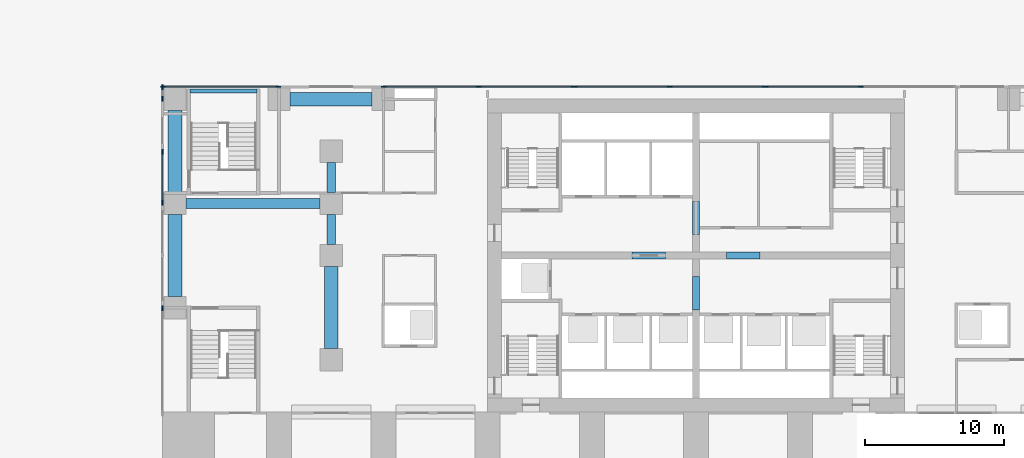
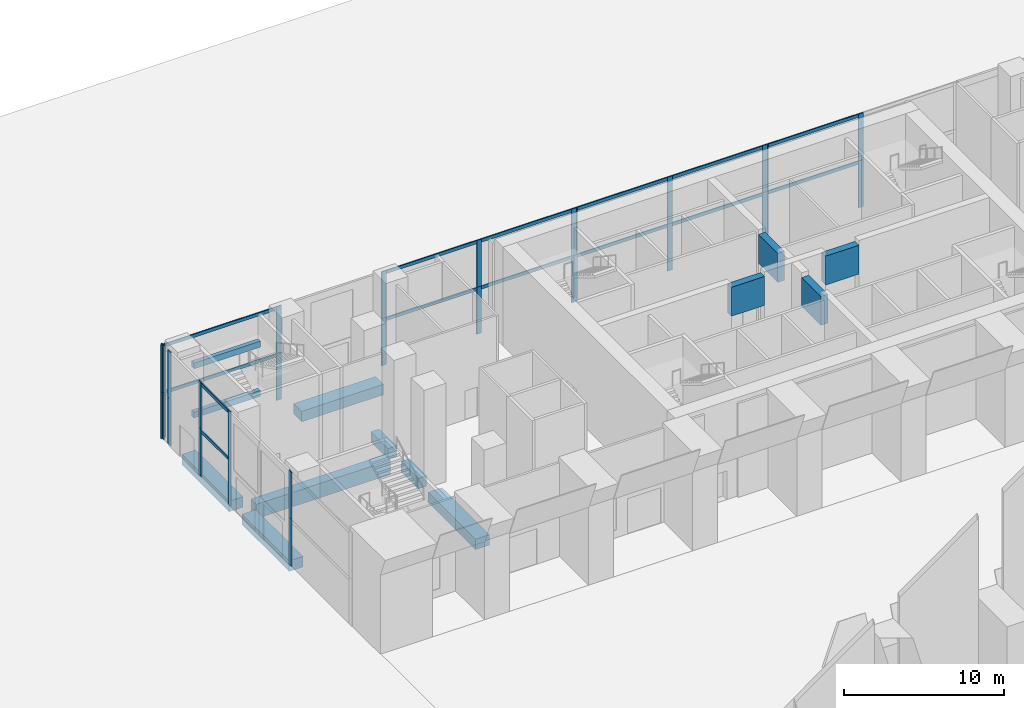
# One storey, part 4 of 21: 44 members, 13 beams, 14 elements without a shape of their own.
"""IFC4 building model written with IfcOpenShell, lengths in metres."""

from ifc_helpers import new_model, si_unit, direction, frame, origin, origin_2d, place, context, subcontext, project, spatial, rectangle, extrude, material, material_profile, profile_set, type_object, element, aggregate, save


model = new_model("IFC4")

# Units and contexts
model_context = context("Model", 3, precision=1e-05, world=origin(), true_north=direction((0.0, 1.0)))
body_context = subcontext(model_context, "Body", "Model", "MODEL_VIEW")
ifc_project = project(units=[si_unit("LENGTHUNIT", "METRE"), si_unit("AREAUNIT", "SQUARE_METRE"), si_unit("VOLUMEUNIT", "CUBIC_METRE"), si_unit("PLANEANGLEUNIT", "RADIAN"), si_unit("MASSUNIT", "GRAM", prefix="KILO")], contexts=[model_context])

# Site, building, storey
site_placement = place(None, origin())
site = spatial("IfcSite", under=ifc_project, at=site_placement, CompositionType="ELEMENT")
building_placement = place(site_placement, origin())
building = spatial("IfcBuilding", under=site, at=building_placement, Name="Pilkhan Gate Tower", CompositionType="ELEMENT")
storey_placement = place(building_placement, origin())
storey = spatial("IfcBuildingStorey", under=building, at=storey_placement, Name="L00", CompositionType="ELEMENT", Elevation=0.0)

# Beams
ifc_material_1 = material(Name="Concrete C70/85", Category="concrete")
ifc_material_profile_1 = material_profile(ifc_material_1, rectangle(XDim=0.5, YDim=2.199951171875, at=origin_2d()), Name="RC 500x2200")
ifc_profile_set_1 = profile_set([ifc_material_profile_1], Name="Concrete C70/85")
beam_type_1 = type_object("IfcBeamType", Name="Coupling beam CB220 RC 500x2200 C70/85", PredefinedType="LINTEL", material=ifc_profile_set_1)
for number, where, z_axis, x_axis, name in (
    (1, (70.39990234375, 82.5, 6.050048828125), (1.0, 0.0, 0.0), (0.0, 1.0, 0.0), "Coupling beam 1 L00"),
    (2, (77.199951171875, 82.5, 6.050048828125), (1.0, 0.0, 0.0), (0.0, 1.0, 0.0), "Coupling beam 2 L00"),
):
    element("IfcBeam", number, at=place(storey_placement, frame(where, z_axis=z_axis, x_axis=x_axis)), inside=storey, type_object=beam_type_1, Name=name, PredefinedType="LINTEL", context=body_context, shape_type="SweptSolid", body=[
        extrude(rectangle(XDim=0.5, YDim=2.199951171875, at=origin_2d()), origin(), (0.0, 0.0, 1.0), 2.400146484375),
    ])
for number, where, z_axis, x_axis, name in (
    (3, (75.0, 78.60009765625, 6.050048828125), (0.0, 1.0, 0.0), (-1.0, 0.0, 0.0), "Coupling beam 3 L00"),
    (4, (75.0, 84.0, 6.050048828125), (0.0, 1.0, 0.0), (-1.0, 0.0, 0.0), "Coupling beam 4 L00"),
):
    element("IfcBeam", number, at=place(storey_placement, frame(where, z_axis=z_axis, x_axis=x_axis)), inside=storey, type_object=beam_type_1, Name=name, PredefinedType="LINTEL", context=body_context, shape_type="SweptSolid", body=[
        extrude(rectangle(XDim=0.5, YDim=2.199951171875, at=origin_2d()), origin(), (0.0, 0.0, 1.0), 2.39990234375),
    ])
ifc_material_2 = material(Name="Concrete C50/60", Category="concrete")
ifc_material_profile_2 = material_profile(ifc_material_2, rectangle(XDim=0.300048828125, YDim=0.449951171875, at=origin_2d()), Name="RC 300x450")
ifc_profile_set_2 = profile_set([ifc_material_profile_2], Name="Concrete C50/60")
beam_type_2 = type_object("IfcBeamType", Name="Landing support beam LB RC 300x450 C50/60", PredefinedType="BEAM", material=ifc_profile_set_2)
for number, where, z_axis, x_axis, name in (
    (5, (38.60498046875, 94.35009765625, 1.300048828125), (1.0, 0.0, 0.0), (0.0, 1.0, 0.0), "Landing support beam PS1-1 L00"),
    (6, (38.60498046875, 94.35009765625, 5.050048828125), (1.0, 0.0, 0.0), (0.0, 1.0, 0.0), "Landing support beam PS1-3 L00"),
):
    element("IfcBeam", number, at=place(storey_placement, frame(where, z_axis=z_axis, x_axis=x_axis)), inside=storey, type_object=beam_type_2, Name=name, PredefinedType="BEAM", context=body_context, shape_type="SweptSolid", body=[
        extrude(rectangle(XDim=0.300048828125, YDim=0.449951171875, at=origin_2d()), origin(), (0.0, 0.0, 1.0), 4.7900390625),
    ])

# Curtain wall, members
ifc_material_3 = material(Name="Pale anodised aluminium, clear low-iron laminated glazing", Category="aluminium")
curtain_wall_type = type_object("IfcCurtainWallType", Name="Podium unitised curtain wall CW-P", PredefinedType="USERDEFINED", material=ifc_material_3)
curtain_wall_1_placement = place(storey_placement, origin())
curtain_wall_1 = element("IfcCurtainWall", 7, at=curtain_wall_1_placement, inside=storey, type_object=curtain_wall_type, Name="Podium unitised curtain wall CW-P L00 N", ObjectType="UNITISED CURTAIN WALL", PredefinedType="USERDEFINED")
ifc_material_4 = material(Name="Pale anodised aluminium", Category="aluminium")
ifc_material_profile_3 = material_profile(ifc_material_4, rectangle(XDim=0.080078125, YDim=0.35009765625, at=origin_2d()), Name="Mullion 350x80")
ifc_profile_set_3 = profile_set([ifc_material_profile_3], Name="Pale anodised aluminium")
member_type_1 = type_object("IfcMemberType", Name="Mullion CW-P 350x80", PredefinedType="MULLION", material=ifc_profile_set_3)
member_1_placement = place(storey_placement, frame((36.64501953125, 94.64501953125, 0.0), z_axis=(0.0, 0.0, 1.0), x_axis=(0.0, 1.0, 0.0)))
member_1 = element("IfcMember", 8, at=member_1_placement, type_object=member_type_1, Name="CW-P mullion 1", PredefinedType="MULLION", context=body_context, shape_type="SweptSolid", body=[
    extrude(rectangle(XDim=0.080078125, YDim=0.35009765625, at=origin_2d()), origin(), (0.0, 0.0, 1.0), 3.574951171875),
])
member_2_placement = place(storey_placement, frame((44.9599609375, 94.64501953125, 0.0), z_axis=(0.0, 0.0, 1.0), x_axis=(0.0, 1.0, 0.0)))
member_2 = element("IfcMember", 9, at=member_2_placement, type_object=member_type_1, Name="CW-P mullion 2", PredefinedType="MULLION", context=body_context, shape_type="SweptSolid", body=[
    extrude(rectangle(XDim=0.080078125, YDim=0.35009765625, at=origin_2d()), origin(), (0.0, 0.0, 1.0), 3.574951171875),
])

curtain_wall_2_placement = place(storey_placement, origin())
curtain_wall_2 = element("IfcCurtainWall", 10, at=curtain_wall_2_placement, inside=storey, type_object=curtain_wall_type, Name="Podium unitised curtain wall CW-P L00 N", ObjectType="UNITISED CURTAIN WALL", PredefinedType="USERDEFINED")
member_3_placement = place(storey_placement, frame((36.64501953125, 94.64501953125, 3.574951171875), z_axis=(0.0, 0.0, 1.0), x_axis=(0.0, 1.0, 0.0)))
member_3 = element("IfcMember", 11, at=member_3_placement, type_object=member_type_1, Name="CW-P mullion 1", PredefinedType="MULLION", context=body_context, shape_type="SweptSolid", body=[
    extrude(rectangle(XDim=0.080078125, YDim=0.35009765625, at=origin_2d()), origin(), (0.0, 0.0, 1.0), 3.574951171875),
])
member_4_placement = place(storey_placement, frame((44.9599609375, 94.64501953125, 3.574951171875), z_axis=(0.0, 0.0, 1.0), x_axis=(0.0, 1.0, 0.0)))
member_4 = element("IfcMember", 12, at=member_4_placement, type_object=member_type_1, Name="CW-P mullion 2", PredefinedType="MULLION", context=body_context, shape_type="SweptSolid", body=[
    extrude(rectangle(XDim=0.080078125, YDim=0.35009765625, at=origin_2d()), origin(), (0.0, 0.0, 1.0), 3.574951171875),
])

curtain_wall_3_placement = place(storey_placement, origin())
curtain_wall_3 = element("IfcCurtainWall", 13, at=curtain_wall_3_placement, inside=storey, type_object=curtain_wall_type, Name="Podium unitised curtain wall CW-P L00 N", ObjectType="UNITISED CURTAIN WALL", PredefinedType="USERDEFINED")
member_5_placement = place(storey_placement, frame((52.5400390625, 94.64501953125, 0.0), z_axis=(0.0, 0.0, 1.0), x_axis=(0.0, 1.0, 0.0)))
member_5 = element("IfcMember", 14, at=member_5_placement, type_object=member_type_1, Name="CW-P mullion 1", PredefinedType="MULLION", context=body_context, shape_type="SweptSolid", body=[
    extrude(rectangle(XDim=0.080078125, YDim=0.35009765625, at=origin_2d()), origin(), (0.0, 0.0, 1.0), 3.574951171875),
])
member_6_placement = place(storey_placement, frame((59.375, 94.64501953125, 0.0), z_axis=(0.0, 0.0, 1.0), x_axis=(0.0, 1.0, 0.0)))
member_6 = element("IfcMember", 15, at=member_6_placement, type_object=member_type_1, Name="CW-P mullion 2", PredefinedType="MULLION", context=body_context, shape_type="SweptSolid", body=[
    extrude(rectangle(XDim=0.080078125, YDim=0.35009765625, at=origin_2d()), origin(), (0.0, 0.0, 1.0), 3.574951171875),
])
member_7_placement = place(storey_placement, frame((66.2099609375, 94.64501953125, 0.0), z_axis=(0.0, 0.0, 1.0), x_axis=(0.0, 1.0, 0.0)))
member_7 = element("IfcMember", 16, at=member_7_placement, type_object=member_type_1, Name="CW-P mullion 3", PredefinedType="MULLION", context=body_context, shape_type="SweptSolid", body=[
    extrude(rectangle(XDim=0.080078125, YDim=0.35009765625, at=origin_2d()), origin(), (0.0, 0.0, 1.0), 3.574951171875),
])

curtain_wall_4_placement = place(storey_placement, origin())
curtain_wall_4 = element("IfcCurtainWall", 17, at=curtain_wall_4_placement, inside=storey, type_object=curtain_wall_type, Name="Podium unitised curtain wall CW-P L00 N", ObjectType="UNITISED CURTAIN WALL", PredefinedType="USERDEFINED")
member_8_placement = place(storey_placement, frame((66.2900390625, 94.64501953125, 0.0), z_axis=(0.0, 0.0, 1.0), x_axis=(0.0, 1.0, 0.0)))
member_8 = element("IfcMember", 18, at=member_8_placement, type_object=member_type_1, Name="CW-P mullion 1", PredefinedType="MULLION", context=body_context, shape_type="SweptSolid", body=[
    extrude(rectangle(XDim=0.080078125, YDim=0.35009765625, at=origin_2d()), origin(), (0.0, 0.0, 1.0), 3.574951171875),
])
member_9_placement = place(storey_placement, frame((73.125, 94.64501953125, 0.0), z_axis=(0.0, 0.0, 1.0), x_axis=(0.0, 1.0, 0.0)))
member_9 = element("IfcMember", 19, at=member_9_placement, type_object=member_type_1, Name="CW-P mullion 2", PredefinedType="MULLION", context=body_context, shape_type="SweptSolid", body=[
    extrude(rectangle(XDim=0.080078125, YDim=0.35009765625, at=origin_2d()), origin(), (0.0, 0.0, 1.0), 3.574951171875),
])
member_10_placement = place(storey_placement, frame((79.9599609375, 94.64501953125, 0.0), z_axis=(0.0, 0.0, 1.0), x_axis=(0.0, 1.0, 0.0)))
member_10 = element("IfcMember", 20, at=member_10_placement, type_object=member_type_1, Name="CW-P mullion 3", PredefinedType="MULLION", context=body_context, shape_type="SweptSolid", body=[
    extrude(rectangle(XDim=0.080078125, YDim=0.35009765625, at=origin_2d()), origin(), (0.0, 0.0, 1.0), 3.574951171875),
])

curtain_wall_5_placement = place(storey_placement, origin())
curtain_wall_5 = element("IfcCurtainWall", 21, at=curtain_wall_5_placement, inside=storey, type_object=curtain_wall_type, Name="Podium unitised curtain wall CW-P L00 N", ObjectType="UNITISED CURTAIN WALL", PredefinedType="USERDEFINED")
member_11_placement = place(storey_placement, frame((80.0400390625, 94.64501953125, 0.0), z_axis=(0.0, 0.0, 1.0), x_axis=(0.0, 1.0, 0.0)))
member_11 = element("IfcMember", 22, at=member_11_placement, type_object=member_type_1, Name="CW-P mullion 1", PredefinedType="MULLION", context=body_context, shape_type="SweptSolid", body=[
    extrude(rectangle(XDim=0.080078125, YDim=0.35009765625, at=origin_2d()), origin(), (0.0, 0.0, 1.0), 3.574951171875),
])
member_12_placement = place(storey_placement, frame((86.875, 94.64501953125, 0.0), z_axis=(0.0, 0.0, 1.0), x_axis=(0.0, 1.0, 0.0)))
member_12 = element("IfcMember", 23, at=member_12_placement, type_object=member_type_1, Name="CW-P mullion 2", PredefinedType="MULLION", context=body_context, shape_type="SweptSolid", body=[
    extrude(rectangle(XDim=0.080078125, YDim=0.35009765625, at=origin_2d()), origin(), (0.0, 0.0, 1.0), 3.574951171875),
])

curtain_wall_6_placement = place(storey_placement, origin())
curtain_wall_6 = element("IfcCurtainWall", 24, at=curtain_wall_6_placement, inside=storey, type_object=curtain_wall_type, Name="Podium unitised curtain wall CW-P L00 N", ObjectType="UNITISED CURTAIN WALL", PredefinedType="USERDEFINED")
member_13_placement = place(storey_placement, frame((52.5400390625, 94.64501953125, 3.574951171875), z_axis=(0.0, 0.0, 1.0), x_axis=(0.0, 1.0, 0.0)))
member_13 = element("IfcMember", 25, at=member_13_placement, type_object=member_type_1, Name="CW-P mullion 1", PredefinedType="MULLION", context=body_context, shape_type="SweptSolid", body=[
    extrude(rectangle(XDim=0.080078125, YDim=0.35009765625, at=origin_2d()), origin(), (0.0, 0.0, 1.0), 3.574951171875),
])
member_14_placement = place(storey_placement, frame((59.375, 94.64501953125, 3.574951171875), z_axis=(0.0, 0.0, 1.0), x_axis=(0.0, 1.0, 0.0)))
member_14 = element("IfcMember", 26, at=member_14_placement, type_object=member_type_1, Name="CW-P mullion 2", PredefinedType="MULLION", context=body_context, shape_type="SweptSolid", body=[
    extrude(rectangle(XDim=0.080078125, YDim=0.35009765625, at=origin_2d()), origin(), (0.0, 0.0, 1.0), 3.574951171875),
])
member_15_placement = place(storey_placement, frame((66.2099609375, 94.64501953125, 3.574951171875), z_axis=(0.0, 0.0, 1.0), x_axis=(0.0, 1.0, 0.0)))
member_15 = element("IfcMember", 27, at=member_15_placement, type_object=member_type_1, Name="CW-P mullion 3", PredefinedType="MULLION", context=body_context, shape_type="SweptSolid", body=[
    extrude(rectangle(XDim=0.080078125, YDim=0.35009765625, at=origin_2d()), origin(), (0.0, 0.0, 1.0), 3.574951171875),
])

curtain_wall_7_placement = place(storey_placement, origin())
curtain_wall_7 = element("IfcCurtainWall", 28, at=curtain_wall_7_placement, inside=storey, type_object=curtain_wall_type, Name="Podium unitised curtain wall CW-P L00 N", ObjectType="UNITISED CURTAIN WALL", PredefinedType="USERDEFINED")
member_16_placement = place(storey_placement, frame((66.2900390625, 94.64501953125, 3.574951171875), z_axis=(0.0, 0.0, 1.0), x_axis=(0.0, 1.0, 0.0)))
member_16 = element("IfcMember", 29, at=member_16_placement, type_object=member_type_1, Name="CW-P mullion 1", PredefinedType="MULLION", context=body_context, shape_type="SweptSolid", body=[
    extrude(rectangle(XDim=0.080078125, YDim=0.35009765625, at=origin_2d()), origin(), (0.0, 0.0, 1.0), 3.574951171875),
])
member_17_placement = place(storey_placement, frame((73.125, 94.64501953125, 3.574951171875), z_axis=(0.0, 0.0, 1.0), x_axis=(0.0, 1.0, 0.0)))
member_17 = element("IfcMember", 30, at=member_17_placement, type_object=member_type_1, Name="CW-P mullion 2", PredefinedType="MULLION", context=body_context, shape_type="SweptSolid", body=[
    extrude(rectangle(XDim=0.080078125, YDim=0.35009765625, at=origin_2d()), origin(), (0.0, 0.0, 1.0), 3.574951171875),
])
member_18_placement = place(storey_placement, frame((79.9599609375, 94.64501953125, 3.574951171875), z_axis=(0.0, 0.0, 1.0), x_axis=(0.0, 1.0, 0.0)))
member_18 = element("IfcMember", 31, at=member_18_placement, type_object=member_type_1, Name="CW-P mullion 3", PredefinedType="MULLION", context=body_context, shape_type="SweptSolid", body=[
    extrude(rectangle(XDim=0.080078125, YDim=0.35009765625, at=origin_2d()), origin(), (0.0, 0.0, 1.0), 3.574951171875),
])

curtain_wall_8_placement = place(storey_placement, origin())
curtain_wall_8 = element("IfcCurtainWall", 32, at=curtain_wall_8_placement, inside=storey, type_object=curtain_wall_type, Name="Podium unitised curtain wall CW-P L00 N", ObjectType="UNITISED CURTAIN WALL", PredefinedType="USERDEFINED")
member_19_placement = place(storey_placement, frame((80.0400390625, 94.64501953125, 3.574951171875), z_axis=(0.0, 0.0, 1.0), x_axis=(0.0, 1.0, 0.0)))
member_19 = element("IfcMember", 33, at=member_19_placement, type_object=member_type_1, Name="CW-P mullion 1", PredefinedType="MULLION", context=body_context, shape_type="SweptSolid", body=[
    extrude(rectangle(XDim=0.080078125, YDim=0.35009765625, at=origin_2d()), origin(), (0.0, 0.0, 1.0), 3.574951171875),
])
member_20_placement = place(storey_placement, frame((86.875, 94.64501953125, 3.574951171875), z_axis=(0.0, 0.0, 1.0), x_axis=(0.0, 1.0, 0.0)))
member_20 = element("IfcMember", 34, at=member_20_placement, type_object=member_type_1, Name="CW-P mullion 2", PredefinedType="MULLION", context=body_context, shape_type="SweptSolid", body=[
    extrude(rectangle(XDim=0.080078125, YDim=0.35009765625, at=origin_2d()), origin(), (0.0, 0.0, 1.0), 3.574951171875),
])

# Curtain wall, member
curtain_wall_9_placement = place(storey_placement, origin())
curtain_wall_9 = element("IfcCurtainWall", 35, at=curtain_wall_9_placement, inside=storey, type_object=curtain_wall_type, Name="Podium unitised curtain wall CW-P L00 W", ObjectType="UNITISED CURTAIN WALL", PredefinedType="USERDEFINED")
member_21_placement = place(storey_placement, frame((36.60498046875, 78.7099609375, 0.0), z_axis=(0.0, 0.0, 1.0), x_axis=(-1.0, 0.0, 0.0)))
member_21 = element("IfcMember", 36, at=member_21_placement, type_object=member_type_1, Name="CW-P mullion 2", PredefinedType="MULLION", context=body_context, shape_type="SweptSolid", body=[
    extrude(rectangle(XDim=0.080078125, YDim=0.35009765625, at=origin_2d()), origin(), (0.0, 0.0, 1.0), 3.574951171875),
])
aggregate(curtain_wall_9, [member_21])

curtain_wall_10_placement = place(storey_placement, origin())
curtain_wall_10 = element("IfcCurtainWall", 37, at=curtain_wall_10_placement, inside=storey, type_object=curtain_wall_type, Name="Podium unitised curtain wall CW-P L00 W", ObjectType="UNITISED CURTAIN WALL", PredefinedType="USERDEFINED")
member_22_placement = place(storey_placement, frame((36.60498046875, 78.7099609375, 3.574951171875), z_axis=(0.0, 0.0, 1.0), x_axis=(-1.0, 0.0, 0.0)))
member_22 = element("IfcMember", 38, at=member_22_placement, type_object=member_type_1, Name="CW-P mullion 2", PredefinedType="MULLION", context=body_context, shape_type="SweptSolid", body=[
    extrude(rectangle(XDim=0.080078125, YDim=0.35009765625, at=origin_2d()), origin(), (0.0, 0.0, 1.0), 3.574951171875),
])
aggregate(curtain_wall_10, [member_22])

# Curtain wall, members
curtain_wall_11_placement = place(storey_placement, origin())
curtain_wall_11 = element("IfcCurtainWall", 39, at=curtain_wall_11_placement, inside=storey, type_object=curtain_wall_type, Name="Podium unitised curtain wall CW-P L00 W", ObjectType="UNITISED CURTAIN WALL", PredefinedType="USERDEFINED")
member_23_placement = place(storey_placement, frame((36.60498046875, 86.2900390625, 0.0), z_axis=(0.0, 0.0, 1.0), x_axis=(-1.0, 0.0, 0.0)))
member_23 = element("IfcMember", 40, at=member_23_placement, type_object=member_type_1, Name="CW-P mullion 1", PredefinedType="MULLION", context=body_context, shape_type="SweptSolid", body=[
    extrude(rectangle(XDim=0.080078125, YDim=0.35009765625, at=origin_2d()), origin(), (0.0, 0.0, 1.0), 3.574951171875),
])
member_24_placement = place(storey_placement, frame((36.60498046875, 89.9599609375, 0.0), z_axis=(0.0, 0.0, 1.0), x_axis=(-1.0, 0.0, 0.0)))
member_24 = element("IfcMember", 41, at=member_24_placement, type_object=member_type_1, Name="CW-P mullion 2", PredefinedType="MULLION", context=body_context, shape_type="SweptSolid", body=[
    extrude(rectangle(XDim=0.080078125, YDim=0.35009765625, at=origin_2d()), origin(), (0.0, 0.0, 1.0), 3.574951171875),
])

curtain_wall_12_placement = place(storey_placement, origin())
curtain_wall_12 = element("IfcCurtainWall", 42, at=curtain_wall_12_placement, inside=storey, type_object=curtain_wall_type, Name="Podium unitised curtain wall CW-P L00 W", ObjectType="UNITISED CURTAIN WALL", PredefinedType="USERDEFINED")
member_25_placement = place(storey_placement, frame((36.60498046875, 86.2900390625, 3.574951171875), z_axis=(0.0, 0.0, 1.0), x_axis=(-1.0, 0.0, 0.0)))
member_25 = element("IfcMember", 43, at=member_25_placement, type_object=member_type_1, Name="CW-P mullion 1", PredefinedType="MULLION", context=body_context, shape_type="SweptSolid", body=[
    extrude(rectangle(XDim=0.080078125, YDim=0.35009765625, at=origin_2d()), origin(), (0.0, 0.0, 1.0), 3.574951171875),
])
member_26_placement = place(storey_placement, frame((36.60498046875, 89.9599609375, 3.574951171875), z_axis=(0.0, 0.0, 1.0), x_axis=(-1.0, 0.0, 0.0)))
member_26 = element("IfcMember", 44, at=member_26_placement, type_object=member_type_1, Name="CW-P mullion 2", PredefinedType="MULLION", context=body_context, shape_type="SweptSolid", body=[
    extrude(rectangle(XDim=0.080078125, YDim=0.35009765625, at=origin_2d()), origin(), (0.0, 0.0, 1.0), 3.574951171875),
])

curtain_wall_13_placement = place(storey_placement, origin())
curtain_wall_13 = element("IfcCurtainWall", 45, at=curtain_wall_13_placement, inside=storey, type_object=curtain_wall_type, Name="Podium unitised curtain wall CW-P L00 W", ObjectType="UNITISED CURTAIN WALL", PredefinedType="USERDEFINED")
member_27_placement = place(storey_placement, frame((36.60498046875, 93.7900390625, 0.0), z_axis=(0.0, 0.0, 1.0), x_axis=(-1.0, 0.0, 0.0)))
member_27 = element("IfcMember", 46, at=member_27_placement, type_object=member_type_1, Name="CW-P mullion 1", PredefinedType="MULLION", context=body_context, shape_type="SweptSolid", body=[
    extrude(rectangle(XDim=0.080078125, YDim=0.35009765625, at=origin_2d()), origin(), (0.0, 0.0, 1.0), 3.574951171875),
])
member_28_placement = place(storey_placement, frame((36.60498046875, 94.60498046875, 0.0), z_axis=(0.0, 0.0, 1.0), x_axis=(-1.0, 0.0, 0.0)))
member_28 = element("IfcMember", 47, at=member_28_placement, type_object=member_type_1, Name="CW-P mullion 2", PredefinedType="MULLION", context=body_context, shape_type="SweptSolid", body=[
    extrude(rectangle(XDim=0.080078125, YDim=0.35009765625, at=origin_2d()), origin(), (0.0, 0.0, 1.0), 3.574951171875),
])
aggregate(curtain_wall_13, [member_27, member_28])

curtain_wall_14_placement = place(storey_placement, origin())
curtain_wall_14 = element("IfcCurtainWall", 48, at=curtain_wall_14_placement, inside=storey, type_object=curtain_wall_type, Name="Podium unitised curtain wall CW-P L00 W", ObjectType="UNITISED CURTAIN WALL", PredefinedType="USERDEFINED")
member_29_placement = place(storey_placement, frame((36.60498046875, 93.7900390625, 3.574951171875), z_axis=(0.0, 0.0, 1.0), x_axis=(-1.0, 0.0, 0.0)))
member_29 = element("IfcMember", 49, at=member_29_placement, type_object=member_type_1, Name="CW-P mullion 1", PredefinedType="MULLION", context=body_context, shape_type="SweptSolid", body=[
    extrude(rectangle(XDim=0.080078125, YDim=0.35009765625, at=origin_2d()), origin(), (0.0, 0.0, 1.0), 3.574951171875),
])
member_30_placement = place(storey_placement, frame((36.60498046875, 94.60498046875, 3.574951171875), z_axis=(0.0, 0.0, 1.0), x_axis=(-1.0, 0.0, 0.0)))
member_30 = element("IfcMember", 50, at=member_30_placement, type_object=member_type_1, Name="CW-P mullion 2", PredefinedType="MULLION", context=body_context, shape_type="SweptSolid", body=[
    extrude(rectangle(XDim=0.080078125, YDim=0.35009765625, at=origin_2d()), origin(), (0.0, 0.0, 1.0), 3.574951171875),
])
aggregate(curtain_wall_14, [member_29, member_30])

# Beams
ifc_material_profile_4 = material_profile(ifc_material_2, rectangle(XDim=0.699951171875, YDim=1.10009765625, at=origin_2d()), Name="RC 700x1100")
ifc_profile_set_4 = profile_set([ifc_material_profile_4], Name="Concrete C50/60")
beam_type_3 = type_object("IfcBeamType", Name="Podium girder PG110 RC 700x1100 C50/60", PredefinedType="BEAM", material=ifc_profile_set_4)
beam_placement = place(storey_placement, frame((38.300048828125, 86.25, -0.89990234375), z_axis=(1.0, 0.0, 0.0), x_axis=(0.0, 1.0, 0.0)))
element("IfcBeam", 51, at=beam_placement, inside=storey, type_object=beam_type_3, Name="Podium beam 3 L00", PredefinedType="BEAM", context=body_context, shape_type="SweptSolid", body=[
    extrude(rectangle(XDim=0.699951171875, YDim=1.10009765625, at=origin_2d()), origin(), (0.0, 0.0, 1.0), 9.64990234375),
])
ifc_material_profile_5 = material_profile(ifc_material_2, rectangle(XDim=1.0, YDim=0.800048828125, at=origin_2d()), Name="RC 1000x800")
ifc_profile_set_5 = profile_set([ifc_material_profile_5], Name="Concrete C50/60")
beam_type_4 = type_object("IfcBeamType", Name="Podium joist PJ80 RC 1000x800 C50/60", PredefinedType="JOIST", material=ifc_profile_set_5)
for number, where, z_axis, x_axis, name in (
    (52, (37.5, 79.550048828125, -0.75), (0.0, 1.0, 0.0), (-1.0, 0.0, 0.0), "Podium beam 1 L00"),
    (53, (37.5, 87.050048828125, -0.75), (0.0, 1.0, 0.0), (-1.0, 0.0, 0.0), "Podium beam 2 L00"),
    (54, (45.800048828125, 93.75, -0.75), (1.0, 0.0, 0.0), (0.0, 1.0, 0.0), "Podium beam 5 L00"),
    (55, (48.75, 75.800048828125, -0.75), (0.0, 1.0, 0.0), (-1.0, 0.0, 0.0), "Podium beam 6 L00"),
):
    element("IfcBeam", number, at=place(storey_placement, frame(where, z_axis=z_axis, x_axis=x_axis)), inside=storey, type_object=beam_type_4, Name=name, PredefinedType="JOIST", context=body_context, shape_type="SweptSolid", body=[
        extrude(rectangle(XDim=1.0, YDim=0.800048828125, at=origin_2d()), origin(), (0.0, 0.0, 1.0), 5.89990234375),
    ])
ifc_material_profile_6 = material_profile(ifc_material_2, rectangle(XDim=0.60009765625, YDim=0.800048828125, at=origin_2d()), Name="RC 600x800")
ifc_profile_set_6 = profile_set([ifc_material_profile_6], Name="Concrete C50/60")
beam_type_5 = type_object("IfcBeamType", Name="Podium joist PJ81 RC 600x800 C50/60", PredefinedType="JOIST", material=ifc_profile_set_6)
for number, where, z_axis, x_axis, name in (
    (56, (48.75, 83.300048828125, -0.75), (0.0, 1.0, 0.0), (-1.0, 0.0, 0.0), "Podium beam 7 L00"),
    (57, (48.75, 87.050048828125, -0.75), (0.0, 1.0, 0.0), (-1.0, 0.0, 0.0), "Podium beam 8 L00"),
):
    element("IfcBeam", number, at=place(storey_placement, frame(where, z_axis=z_axis, x_axis=x_axis)), inside=storey, type_object=beam_type_5, Name=name, PredefinedType="JOIST", context=body_context, shape_type="SweptSolid", body=[
        extrude(rectangle(XDim=0.60009765625, YDim=0.800048828125, at=origin_2d()), origin(), (0.0, 0.0, 1.0), 2.14990234375),
    ])

# Member
ifc_material_profile_7 = material_profile(ifc_material_4, rectangle(XDim=0.080078125, YDim=0.25, at=origin_2d()), Name="Transom 250x80")
ifc_profile_set_7 = profile_set([ifc_material_profile_7], Name="Pale anodised aluminium")
member_type_2 = type_object("IfcMemberType", Name="Transom CW-P 250x80", PredefinedType="USERDEFINED", material=ifc_profile_set_7)
member_31_placement = place(storey_placement, frame((36.68505859375, 94.64501953125, 3.449951171875), z_axis=(1.0, 0.0, 0.0), x_axis=(0.0, 1.0, 0.0)))
member_31 = element("IfcMember", 58, at=member_31_placement, type_object=member_type_2, Name="CW-P transom 1", ObjectType="TRANSOM", PredefinedType="USERDEFINED", context=body_context, shape_type="SweptSolid", body=[
    extrude(rectangle(XDim=0.080078125, YDim=0.25, at=origin_2d()), origin(), (0.0, 0.0, 1.0), 8.23486328125),
])

aggregate(curtain_wall_1, [member_1, member_2, member_31])

member_32_placement = place(storey_placement, frame((36.68505859375, 94.64501953125, 7.02490234375), z_axis=(1.0, 0.0, 0.0), x_axis=(0.0, 1.0, 0.0)))
member_32 = element("IfcMember", 59, at=member_32_placement, type_object=member_type_2, Name="CW-P transom 1", ObjectType="TRANSOM", PredefinedType="USERDEFINED", context=body_context, shape_type="SweptSolid", body=[
    extrude(rectangle(XDim=0.080078125, YDim=0.25, at=origin_2d()), origin(), (0.0, 0.0, 1.0), 8.23486328125),
])

aggregate(curtain_wall_2, [member_3, member_4, member_32])

member_33_placement = place(storey_placement, frame((52.580078125, 94.64501953125, 3.449951171875), z_axis=(1.0, 0.0, 0.0), x_axis=(0.0, 1.0, 0.0)))
member_33 = element("IfcMember", 60, at=member_33_placement, type_object=member_type_2, Name="CW-P transom 1", ObjectType="TRANSOM", PredefinedType="USERDEFINED", context=body_context, shape_type="SweptSolid", body=[
    extrude(rectangle(XDim=0.080078125, YDim=0.25, at=origin_2d()), origin(), (0.0, 0.0, 1.0), 6.7548828125),
])

member_34_placement = place(storey_placement, frame((59.4150390625, 94.64501953125, 3.449951171875), z_axis=(1.0, 0.0, 0.0), x_axis=(0.0, 1.0, 0.0)))
member_34 = element("IfcMember", 61, at=member_34_placement, type_object=member_type_2, Name="CW-P transom 2", ObjectType="TRANSOM", PredefinedType="USERDEFINED", context=body_context, shape_type="SweptSolid", body=[
    extrude(rectangle(XDim=0.080078125, YDim=0.25, at=origin_2d()), origin(), (0.0, 0.0, 1.0), 6.7548828125),
])

aggregate(curtain_wall_3, [member_5, member_6, member_7, member_33, member_34])

member_35_placement = place(storey_placement, frame((66.330078125, 94.64501953125, 3.449951171875), z_axis=(1.0, 0.0, 0.0), x_axis=(0.0, 1.0, 0.0)))
member_35 = element("IfcMember", 62, at=member_35_placement, type_object=member_type_2, Name="CW-P transom 1", ObjectType="TRANSOM", PredefinedType="USERDEFINED", context=body_context, shape_type="SweptSolid", body=[
    extrude(rectangle(XDim=0.080078125, YDim=0.25, at=origin_2d()), origin(), (0.0, 0.0, 1.0), 6.7548828125),
])

member_36_placement = place(storey_placement, frame((73.1650390625, 94.64501953125, 3.449951171875), z_axis=(1.0, 0.0, 0.0), x_axis=(0.0, 1.0, 0.0)))
member_36 = element("IfcMember", 63, at=member_36_placement, type_object=member_type_2, Name="CW-P transom 2", ObjectType="TRANSOM", PredefinedType="USERDEFINED", context=body_context, shape_type="SweptSolid", body=[
    extrude(rectangle(XDim=0.080078125, YDim=0.25, at=origin_2d()), origin(), (0.0, 0.0, 1.0), 6.7548828125),
])

aggregate(curtain_wall_4, [member_8, member_9, member_10, member_35, member_36])

member_37_placement = place(storey_placement, frame((80.080078125, 94.64501953125, 3.449951171875), z_axis=(1.0, 0.0, 0.0), x_axis=(0.0, 1.0, 0.0)))
member_37 = element("IfcMember", 64, at=member_37_placement, type_object=member_type_2, Name="CW-P transom 1", ObjectType="TRANSOM", PredefinedType="USERDEFINED", context=body_context, shape_type="SweptSolid", body=[
    extrude(rectangle(XDim=0.080078125, YDim=0.25, at=origin_2d()), origin(), (0.0, 0.0, 1.0), 6.7548828125),
])

aggregate(curtain_wall_5, [member_11, member_12, member_37])

member_38_placement = place(storey_placement, frame((52.580078125, 94.64501953125, 7.02490234375), z_axis=(1.0, 0.0, 0.0), x_axis=(0.0, 1.0, 0.0)))
member_38 = element("IfcMember", 65, at=member_38_placement, type_object=member_type_2, Name="CW-P transom 1", ObjectType="TRANSOM", PredefinedType="USERDEFINED", context=body_context, shape_type="SweptSolid", body=[
    extrude(rectangle(XDim=0.080078125, YDim=0.25, at=origin_2d()), origin(), (0.0, 0.0, 1.0), 6.7548828125),
])

member_39_placement = place(storey_placement, frame((59.4150390625, 94.64501953125, 7.02490234375), z_axis=(1.0, 0.0, 0.0), x_axis=(0.0, 1.0, 0.0)))
member_39 = element("IfcMember", 66, at=member_39_placement, type_object=member_type_2, Name="CW-P transom 2", ObjectType="TRANSOM", PredefinedType="USERDEFINED", context=body_context, shape_type="SweptSolid", body=[
    extrude(rectangle(XDim=0.080078125, YDim=0.25, at=origin_2d()), origin(), (0.0, 0.0, 1.0), 6.7548828125),
])

aggregate(curtain_wall_6, [member_13, member_14, member_15, member_38, member_39])

member_40_placement = place(storey_placement, frame((66.330078125, 94.64501953125, 7.02490234375), z_axis=(1.0, 0.0, 0.0), x_axis=(0.0, 1.0, 0.0)))
member_40 = element("IfcMember", 67, at=member_40_placement, type_object=member_type_2, Name="CW-P transom 1", ObjectType="TRANSOM", PredefinedType="USERDEFINED", context=body_context, shape_type="SweptSolid", body=[
    extrude(rectangle(XDim=0.080078125, YDim=0.25, at=origin_2d()), origin(), (0.0, 0.0, 1.0), 6.7548828125),
])

member_41_placement = place(storey_placement, frame((73.1650390625, 94.64501953125, 7.02490234375), z_axis=(1.0, 0.0, 0.0), x_axis=(0.0, 1.0, 0.0)))
member_41 = element("IfcMember", 68, at=member_41_placement, type_object=member_type_2, Name="CW-P transom 2", ObjectType="TRANSOM", PredefinedType="USERDEFINED", context=body_context, shape_type="SweptSolid", body=[
    extrude(rectangle(XDim=0.080078125, YDim=0.25, at=origin_2d()), origin(), (0.0, 0.0, 1.0), 6.7548828125),
])

aggregate(curtain_wall_7, [member_16, member_17, member_18, member_40, member_41])

member_42_placement = place(storey_placement, frame((80.080078125, 94.64501953125, 7.02490234375), z_axis=(1.0, 0.0, 0.0), x_axis=(0.0, 1.0, 0.0)))
member_42 = element("IfcMember", 69, at=member_42_placement, type_object=member_type_2, Name="CW-P transom 1", ObjectType="TRANSOM", PredefinedType="USERDEFINED", context=body_context, shape_type="SweptSolid", body=[
    extrude(rectangle(XDim=0.080078125, YDim=0.25, at=origin_2d()), origin(), (0.0, 0.0, 1.0), 6.7548828125),
])

aggregate(curtain_wall_8, [member_19, member_20, member_42])

member_43_placement = place(storey_placement, frame((36.60498046875, 86.330078125, 3.449951171875), z_axis=(0.0, 1.0, 0.0), x_axis=(-1.0, 0.0, 0.0)))
member_43 = element("IfcMember", 70, at=member_43_placement, type_object=member_type_2, Name="CW-P transom 1", ObjectType="TRANSOM", PredefinedType="USERDEFINED", context=body_context, shape_type="SweptSolid", body=[
    extrude(rectangle(XDim=0.080078125, YDim=0.25, at=origin_2d()), origin(), (0.0, 0.0, 1.0), 3.58984375),
])

aggregate(curtain_wall_11, [member_23, member_24, member_43])

member_44_placement = place(storey_placement, frame((36.60498046875, 86.330078125, 7.02490234375), z_axis=(0.0, 1.0, 0.0), x_axis=(-1.0, 0.0, 0.0)))
member_44 = element("IfcMember", 71, at=member_44_placement, type_object=member_type_2, Name="CW-P transom 1", ObjectType="TRANSOM", PredefinedType="USERDEFINED", context=body_context, shape_type="SweptSolid", body=[
    extrude(rectangle(XDim=0.080078125, YDim=0.25, at=origin_2d()), origin(), (0.0, 0.0, 1.0), 3.58984375),
])

aggregate(curtain_wall_12, [member_25, member_26, member_44])

save(model, "model.ifc")
